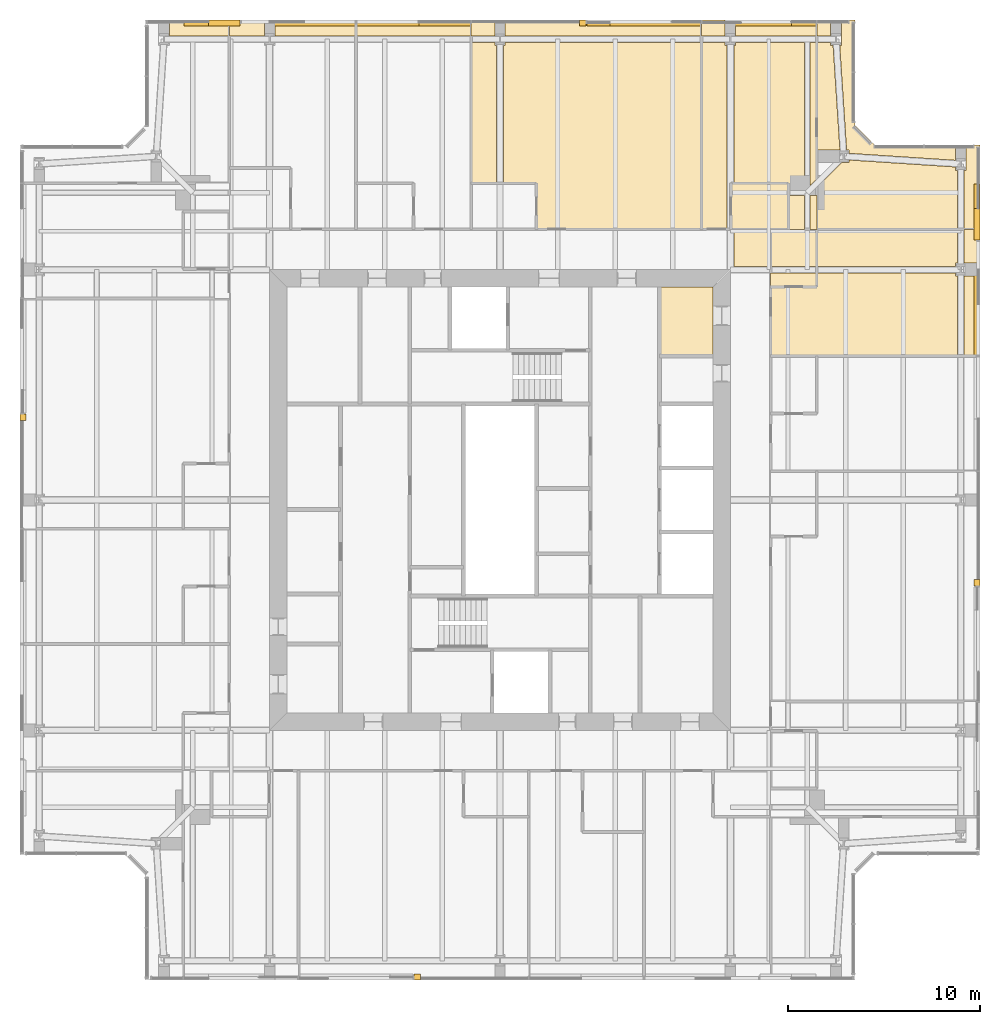
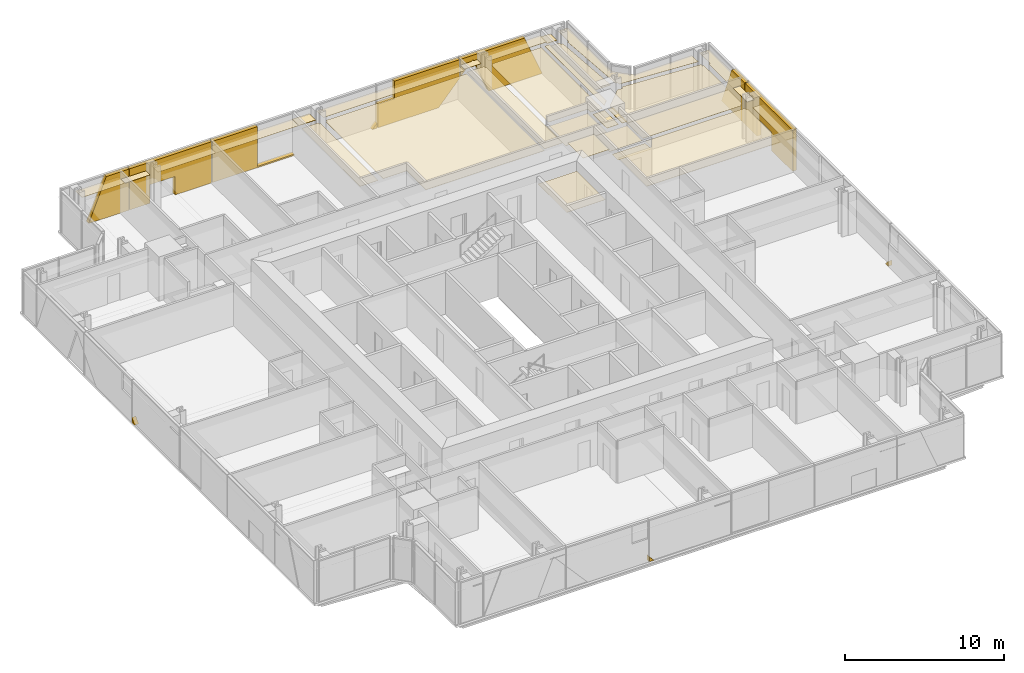
# One storey, part 18 of 18: 40 coverings.
"""IFC4 building model written with IfcOpenShell, lengths in metres."""

from ifc_helpers import new_model, si_unit, direction, frame, origin, place, context, subcontext, project, spatial, polyline, outline, extrude, material, layer, layer_set, type_object, element, save


model = new_model("IFC4")

# Units and contexts
model_context = context("Model", 3, precision=1e-05, world=origin(), true_north=direction((0.0, 1.0)))
body_context = subcontext(model_context, "Body", "Model", "MODEL_VIEW")
ifc_project = project(units=[si_unit("LENGTHUNIT", "METRE"), si_unit("AREAUNIT", "SQUARE_METRE"), si_unit("VOLUMEUNIT", "CUBIC_METRE"), si_unit("PLANEANGLEUNIT", "RADIAN"), si_unit("MASSUNIT", "GRAM", prefix="KILO")], contexts=[model_context])

# Site, building, storey
site_placement = place(None, origin())
site = spatial("IfcSite", under=ifc_project, at=site_placement, CompositionType="ELEMENT")
building_placement = place(site_placement, origin())
building = spatial("IfcBuilding", under=site, at=building_placement, Name="Fenwick Lantern Interchange", CompositionType="ELEMENT")
storey_placement = place(building_placement, frame((0.0, 0.0, 262.800048828125)))
storey = spatial("IfcBuildingStorey", under=building, at=storey_placement, Name="L62", CompositionType="ELEMENT", Elevation=262.800048828125)

# Coverings
ifc_material_1 = material(Name="Granite cladding, warm grey flamed finish, on aluminium carrier frame", Category="masonry")
ifc_layer_1 = layer(ifc_material_1, 0.300048828125)
ifc_layer_set_1 = layer_set([ifc_layer_1], Name="BRACE CASING PANEL 300")
covering_type_1 = type_object("IfcCoveringType", Name="BRACE CASING PANEL 300", PredefinedType="CLADDING", material=ifc_layer_set_1)
for number, where, z_axis, x_axis, name in (
    (1, (6.60009765625, 0.10009765625, 0.0), (0.0, 0.0, 1.0), (1.0, 0.0, 0.0), "Brace casing 01 bay 03a"),
    (2, (49.89990234375, 6.60009765625, 0.0), (0.0, 0.0, 1.0), (0.0, 1.0, 0.0), "Brace casing 05 bay 03a"),
):
    element("IfcCovering", number, at=place(storey_placement, frame(where, z_axis=z_axis, x_axis=x_axis)), inside=storey, type_object=covering_type_1, Name=name, PredefinedType="CLADDING", context=body_context, shape_type="SweptSolid", body=[
        extrude(outline(polyline([(13.929931640625, 0.0), (14.265869140625, 0.0), (13.929931640625, 0.380615234375), (13.929931640625, 0.0)])), frame((0.0, 0.2099609375, 0.0), z_axis=(0.0, -1.0, 0.0), x_axis=(1.0, 0.0, 0.0)), (0.0, 0.0, 1.0), 0.300048828125),
    ])
covering_1_placement = place(storey_placement, frame((49.89990234375, 6.60009765625, 0.0), z_axis=(0.0, 0.0, 1.0), x_axis=(0.0, 1.0, 0.0)))
element("IfcCovering", 3, at=covering_1_placement, inside=storey, type_object=covering_type_1, Name="Brace casing 05 bay 05a", PredefinedType="CLADDING", context=body_context, shape_type="SweptSolid", body=[
    extrude(outline(polyline([(25.929931640625, 0.0), (28.585205078125, 0.0), (28.585205078125, 1.416748046875), (30.39013671875, 1.416748046875), (30.39013671875, 0.0), (31.8701171875, 0.0), (31.8701171875, 3.14990234375), (25.929931640625, 3.14990234375), (25.929931640625, 0.0)])), frame((0.0, 0.2099609375, 0.0), z_axis=(0.0, -1.0, 0.0), x_axis=(1.0, 0.0, 0.0)), (0.0, 0.0, 1.0), 0.300048828125),
])
covering_2_placement = place(storey_placement, frame((49.89990234375, 6.60009765625, 0.0), z_axis=(0.0, 0.0, 1.0), x_axis=(0.0, 1.0, 0.0)))
element("IfcCovering", 4, at=covering_2_placement, inside=storey, type_object=covering_type_1, Name="Brace casing 05 bay 06a", PredefinedType="CLADDING", context=body_context, shape_type="SweptSolid", body=[
    extrude(outline(polyline([(31.929931640625, 0.0), (34.846435546875, 0.0), (33.57275390625, 3.14990234375), (31.929931640625, 3.14990234375), (31.929931640625, 0.0)])), frame((0.0, 0.2099609375, 0.0), z_axis=(0.0, -1.0, 0.0), x_axis=(1.0, 0.0, 0.0)), (0.0, 0.0, 1.0), 0.300048828125),
])
covering_3_placement = place(storey_placement, frame((43.39990234375, 49.89990234375, 0.0), z_axis=(0.0, 0.0, 1.0), x_axis=(-1.0, 0.0, 0.0)))
element("IfcCovering", 5, at=covering_3_placement, inside=storey, type_object=covering_type_1, Name="Brace casing 09 bay 01a", PredefinedType="CLADDING", context=body_context, shape_type="SweptSolid", body=[
    extrude(outline(polyline([(1.953369140625, 0.0), (5.836669921875, 0.0), (6.97705078125, 2.819580078125), (7.8701171875, 1.807373046875), (7.8701171875, 3.14990234375), (3.227294921875, 3.14990234375), (1.953369140625, 0.0)])), frame((0.0, 0.2099609375, 0.0), z_axis=(0.0, -1.0, 0.0), x_axis=(1.0, 0.0, 0.0)), (0.0, 0.0, 1.0), 0.300048828125),
])
covering_4_placement = place(storey_placement, frame((43.39990234375, 49.89990234375, 0.0), z_axis=(0.0, 0.0, 1.0), x_axis=(-1.0, 0.0, 0.0)))
element("IfcCovering", 6, at=covering_4_placement, inside=storey, type_object=covering_type_1, Name="Brace casing 09 bay 02a", PredefinedType="CLADDING", context=body_context, shape_type="SweptSolid", body=[
    extrude(outline(polyline([(9.46484375, 0.0), (13.8701171875, 0.0), (13.8701171875, 1.80126953125), (12.67626953125, 1.80126953125), (12.67626953125, 3.14990234375), (7.929931640625, 3.14990234375), (7.929931640625, 1.7392578125), (9.46484375, 0.0)])), frame((0.0, 0.2099609375, 0.0), z_axis=(0.0, -1.0, 0.0), x_axis=(1.0, 0.0, 0.0)), (0.0, 0.0, 1.0), 0.300048828125),
])
covering_5_placement = place(storey_placement, frame((43.39990234375, 49.89990234375, 0.0), z_axis=(0.0, 0.0, 1.0), x_axis=(-1.0, 0.0, 0.0)))
element("IfcCovering", 7, at=covering_5_placement, inside=storey, type_object=covering_type_1, Name="Brace casing 09 bay 03a", PredefinedType="CLADDING", context=body_context, shape_type="SweptSolid", body=[
    extrude(outline(polyline([(13.929931640625, 0.0), (14.265869140625, 0.0), (13.929931640625, 0.380615234375), (13.929931640625, 0.0)])), frame((0.0, 0.2099609375, 0.0), z_axis=(0.0, -1.0, 0.0), x_axis=(1.0, 0.0, 0.0)), (0.0, 0.0, 1.0), 0.300048828125),
])
covering_6_placement = place(storey_placement, frame((43.39990234375, 49.89990234375, 0.0), z_axis=(0.0, 0.0, 1.0), x_axis=(-1.0, 0.0, 0.0)))
element("IfcCovering", 8, at=covering_6_placement, inside=storey, type_object=covering_type_1, Name="Brace casing 09 bay 04a", PredefinedType="CLADDING", context=body_context, shape_type="SweptSolid", body=[
    extrude(outline(polyline([(19.929931640625, 0.0), (25.8701171875, 0.0), (25.8701171875, 3.14990234375), (22.6201171875, 3.14990234375), (22.6201171875, 0.09716796875), (19.929931640625, 0.09716796875), (19.929931640625, 0.0)])), frame((0.0, 0.2099609375, 0.0), z_axis=(0.0, -1.0, 0.0), x_axis=(1.0, 0.0, 0.0)), (0.0, 0.0, 1.0), 0.300048828125),
])
covering_7_placement = place(storey_placement, frame((43.39990234375, 49.89990234375, 0.0), z_axis=(0.0, 0.0, 1.0), x_axis=(-1.0, 0.0, 0.0)))
element("IfcCovering", 9, at=covering_7_placement, inside=storey, type_object=covering_type_1, Name="Brace casing 09 bay 05a", PredefinedType="CLADDING", context=body_context, shape_type="SweptSolid", body=[
    extrude(outline(polyline([(25.929931640625, 0.0), (28.585205078125, 0.0), (28.585205078125, 1.416748046875), (30.39013671875, 1.416748046875), (30.39013671875, 0.0), (31.8701171875, 0.0), (31.8701171875, 3.14990234375), (25.929931640625, 3.14990234375), (25.929931640625, 0.0)])), frame((0.0, 0.2099609375, 0.0), z_axis=(0.0, -1.0, 0.0), x_axis=(1.0, 0.0, 0.0)), (0.0, 0.0, 1.0), 0.300048828125),
])
covering_8_placement = place(storey_placement, frame((43.39990234375, 49.89990234375, 0.0), z_axis=(0.0, 0.0, 1.0), x_axis=(-1.0, 0.0, 0.0)))
element("IfcCovering", 10, at=covering_8_placement, inside=storey, type_object=covering_type_1, Name="Brace casing 09 bay 06a", PredefinedType="CLADDING", context=body_context, shape_type="SweptSolid", body=[
    extrude(outline(polyline([(31.929931640625, 0.0), (34.846435546875, 0.0), (33.57275390625, 3.14990234375), (31.929931640625, 3.14990234375), (31.929931640625, 0.0)])), frame((0.0, 0.2099609375, 0.0), z_axis=(0.0, -1.0, 0.0), x_axis=(1.0, 0.0, 0.0)), (0.0, 0.0, 1.0), 0.300048828125),
])
covering_9_placement = place(storey_placement, frame((0.10009765625, 43.39990234375, 0.0), z_axis=(0.0, 0.0, 1.0), x_axis=(0.0, -1.0, 0.0)))
element("IfcCovering", 11, at=covering_9_placement, inside=storey, type_object=covering_type_1, Name="Brace casing 13 bay 03a", PredefinedType="CLADDING", context=body_context, shape_type="SweptSolid", body=[
    extrude(outline(polyline([(13.929931640625, 0.0), (14.265869140625, 0.0), (13.929931640625, 0.380615234375), (13.929931640625, 0.0)])), frame((0.0, 0.2099609375, 0.0), z_axis=(0.0, -1.0, 0.0), x_axis=(1.0, 0.0, 0.0)), (0.0, 0.0, 1.0), 0.300048828125),
])
ifc_material_2 = material(Name="Moisture resistant gypsum board on suspended frame, painted")
ifc_layer_2 = layer(ifc_material_2, 0.014892578125)
ifc_layer_set_2 = layer_set([ifc_layer_2], Name="MOISTURE RESISTANT CEILING 15")
covering_type_2 = type_object("IfcCoveringType", Name="MOISTURE RESISTANT CEILING 15", PredefinedType="CEILING", material=ifc_layer_set_2)
covering_10_placement = place(storey_placement, frame((0.0, 0.0, 2.599853515625)))
element("IfcCovering", 12, at=covering_10_placement, inside=storey, type_object=covering_type_2, Name="Accessible WC and shower ceiling", PredefinedType="CEILING", context=body_context, shape_type="SweptSolid", body=[
    extrude(outline(polyline([(36.10009765625, 36.10009765625), (33.300048828125, 36.10009765625), (33.300048828125, 32.5), (36.10009765625, 32.5), (36.10009765625, 36.10009765625)])), origin(), (0.0, 0.0, 1.0), 0.01513671875),
])
covering_11_placement = place(storey_placement, frame((0.0, 0.0, 2.39990234375)))
element("IfcCovering", 13, at=covering_11_placement, inside=storey, type_object=covering_type_2, Name="En-suite 6208 ceiling", PredefinedType="CEILING", context=body_context, shape_type="SweptSolid", body=[
    extrude(outline(polyline([(39.10009765625, 39.10009765625), (39.10009765625, 37.166015625), (41.5, 37.166015625), (41.5, 39.10009765625), (39.10009765625, 39.10009765625)])), origin(), (0.0, 0.0, 1.0), 0.01513671875),
])
covering_12_placement = place(storey_placement, frame((0.0, 0.0, 2.39990234375)))
element("IfcCovering", 14, at=covering_12_placement, inside=storey, type_object=covering_type_2, Name="En-suite 6208 ceiling", PredefinedType="CEILING", context=body_context, shape_type="SweptSolid", body=[
    extrude(outline(polyline([(41.5, 36.10009765625), (41.5, 36.833984375), (39.10009765625, 36.833984375), (39.10009765625, 36.10009765625), (41.5, 36.10009765625)])), origin(), (0.0, 0.0, 1.0), 0.01513671875),
])
covering_13_placement = place(storey_placement, frame((0.0, 0.0, 2.39990234375)))
element("IfcCovering", 15, at=covering_13_placement, inside=storey, type_object=covering_type_2, Name="En-suite 6209 ceiling", PredefinedType="CEILING", context=body_context, shape_type="SweptSolid", body=[
    extrude(outline(polyline([(40.02490234375, 41.5), (37.02490234375, 41.5), (37.02490234375, 39.10009765625), (40.02490234375, 39.10009765625), (40.02490234375, 41.5)])), origin(), (0.0, 0.0, 1.0), 0.01513671875),
])
ifc_material_3 = material(Name="Gypsum plasterboard on suspended frame, painted")
ifc_layer_3 = layer(ifc_material_3, 0.014892578125)
ifc_layer_set_3 = layer_set([ifc_layer_3], Name="PLASTERBOARD CEILING 15")
covering_type_3 = type_object("IfcCoveringType", Name="PLASTERBOARD CEILING 15", PredefinedType="CEILING", material=ifc_layer_set_3)
covering_14_placement = place(storey_placement, frame((0.0, 0.0, 2.57275390625)))
element("IfcCovering", 16, at=covering_14_placement, inside=storey, type_object=covering_type_3, Name="Corridor ceiling", PredefinedType="CEILING", context=body_context, shape_type="SweptSolid", body=[
    extrude(outline(polyline([(39.10009765625, 39.10009765625), (37.183837890625, 39.10009765625), (37.183837890625, 37.166015625), (39.10009765625, 37.166015625), (39.10009765625, 39.10009765625)])), origin(), (0.0, 0.0, 1.0), 0.01513671875),
])
covering_15_placement = place(storey_placement, frame((0.0, 0.0, 2.57275390625)))
element("IfcCovering", 17, at=covering_15_placement, inside=storey, type_object=covering_type_3, Name="Guest room 6208 ceiling", PredefinedType="CEILING", context=body_context, shape_type="SweptSolid", body=[
    extrude(outline(polyline([(48.72265625, 36.66552734375), (48.72265625, 36.833984375), (41.5, 36.833984375), (41.5, 36.10009765625), (39.10009765625, 36.10009765625), (39.10009765625, 32.5), (48.82763671875, 32.5), (48.82763671875, 36.66552734375), (48.72265625, 36.66552734375)])), origin(), (0.0, 0.0, 1.0), 0.01513671875),
])
covering_16_placement = place(storey_placement, frame((0.0, 0.0, 2.57275390625)))
element("IfcCovering", 18, at=covering_16_placement, inside=storey, type_object=covering_type_3, Name="Guest room 6208 ceiling", PredefinedType="CEILING", context=body_context, shape_type="SweptSolid", body=[
    extrude(outline(polyline([(48.72265625, 37.33447265625), (48.82763671875, 37.33447265625), (48.82763671875, 39.10009765625), (41.5, 39.10009765625), (41.5, 37.166015625), (48.72265625, 37.166015625), (48.72265625, 37.33447265625)])), origin(), (0.0, 0.0, 1.0), 0.01513671875),
])
covering_17_placement = place(storey_placement, frame((0.0, 0.0, 2.57275390625)))
element("IfcCovering", 19, at=covering_17_placement, inside=storey, type_object=covering_type_3, Name="Guest room 6208 ceiling", PredefinedType="CEILING", context=body_context, shape_type="SweptSolid", body=[
    extrude(outline(polyline([(50.0, 36.66552734375), (49.17236328125, 36.66552734375), (49.17236328125, 32.5), (50.0, 32.5), (50.0, 36.66552734375)])), origin(), (0.0, 0.0, 1.0), 0.01513671875),
])
covering_18_placement = place(storey_placement, frame((0.0, 0.0, 2.57275390625)))
element("IfcCovering", 20, at=covering_18_placement, inside=storey, type_object=covering_type_3, Name="Guest room 6208 ceiling", PredefinedType="CEILING", context=body_context, shape_type="SweptSolid", body=[
    extrude(outline(polyline([(49.17236328125, 37.33447265625), (50.0, 37.33447265625), (50.0, 39.10009765625), (49.17236328125, 39.10009765625), (49.17236328125, 37.33447265625)])), origin(), (0.0, 0.0, 1.0), 0.01513671875),
])
covering_19_placement = place(storey_placement, frame((0.0, 0.0, 2.57275390625)))
element("IfcCovering", 21, at=covering_19_placement, inside=storey, type_object=covering_type_3, Name="Guest suite 6209 sitting room ceiling", PredefinedType="CEILING", context=body_context, shape_type="SweptSolid", body=[
    extrude(outline(polyline([(48.82763671875, 42.16552734375), (48.72265625, 42.16552734375), (48.72265625, 42.345458984375), (43.17724609375, 42.708984375), (43.17724609375, 42.5654296875), (42.782470703125, 42.5654296875), (41.5, 41.283203125), (41.5, 39.10009765625), (48.82763671875, 39.10009765625), (48.82763671875, 42.16552734375)])), origin(), (0.0, 0.0, 1.0), 0.01513671875),
])
covering_20_placement = place(storey_placement, frame((0.0, 0.0, 2.57275390625)))
element("IfcCovering", 22, at=covering_20_placement, inside=storey, type_object=covering_type_3, Name="Guest suite 6209 sitting room ceiling", PredefinedType="CEILING", context=body_context, shape_type="SweptSolid", body=[
    extrude(outline(polyline([(43.17724609375, 43.234375), (43.17724609375, 43.0546875), (48.72265625, 42.69091796875), (48.72265625, 43.5), (44.5, 43.5), (43.5, 44.5), (43.5, 50.0), (42.77734375, 50.0), (42.77734375, 48.66552734375), (42.69482421875, 48.66552734375), (43.05078125, 43.234375), (43.17724609375, 43.234375)])), origin(), (0.0, 0.0, 1.0), 0.01513671875),
])
covering_21_placement = place(storey_placement, frame((0.0, 0.0, 2.57275390625)))
element("IfcCovering", 23, at=covering_21_placement, inside=storey, type_object=covering_type_3, Name="Guest suite 6209 sitting room ceiling", PredefinedType="CEILING", context=body_context, shape_type="SweptSolid", body=[
    extrude(outline(polyline([(41.5, 43.234375), (42.705322265625, 43.234375), (42.34912109375, 48.66552734375), (42.22265625, 48.66552734375), (42.22265625, 48.82763671875), (41.5, 48.82763671875), (41.5, 43.234375)])), origin(), (0.0, 0.0, 1.0), 0.01513671875),
])
covering_22_placement = place(storey_placement, frame((0.0, 0.0, 2.57275390625)))
element("IfcCovering", 24, at=covering_22_placement, inside=storey, type_object=covering_type_3, Name="Guest suite 6209 sitting room ceiling", PredefinedType="CEILING", context=body_context, shape_type="SweptSolid", body=[
    extrude(outline(polyline([(49.27734375, 42.16552734375), (49.17236328125, 42.16552734375), (49.17236328125, 39.10009765625), (50.0, 39.10009765625), (50.0, 43.5), (49.27734375, 43.5), (49.27734375, 42.16552734375)])), origin(), (0.0, 0.0, 1.0), 0.01513671875),
])
covering_23_placement = place(storey_placement, frame((0.0, 0.0, 2.57275390625)))
element("IfcCovering", 25, at=covering_23_placement, inside=storey, type_object=covering_type_3, Name="Guest suite 6209 sitting room ceiling", PredefinedType="CEILING", context=body_context, shape_type="SweptSolid", body=[
    extrude(outline(polyline([(41.5, 50.0), (41.5, 49.17236328125), (42.22265625, 49.17236328125), (42.22265625, 50.0), (41.5, 50.0)])), origin(), (0.0, 0.0, 1.0), 0.01513671875),
])
covering_24_placement = place(storey_placement, frame((0.0, 0.0, 2.699951171875)))
element("IfcCovering", 26, at=covering_24_placement, inside=storey, type_object=covering_type_3, Name="Guest suite 6209 bedroom ceiling", PredefinedType="CEILING", context=body_context, shape_type="SweptSolid", body=[
    extrude(outline(polyline([(37.27734375, 48.66552734375), (37.183837890625, 48.66552734375), (37.183837890625, 41.5), (40.02490234375, 41.5), (40.02490234375, 41.134521484375), (40.865478515625, 41.134521484375), (40.865478515625, 48.82763671875), (37.27734375, 48.82763671875), (37.27734375, 48.66552734375)])), origin(), (0.0, 0.0, 1.0), 0.014892578125),
])
covering_25_placement = place(storey_placement, frame((0.0, 0.0, 2.699951171875)))
element("IfcCovering", 27, at=covering_25_placement, inside=storey, type_object=covering_type_3, Name="Guest suite 6209 bedroom ceiling", PredefinedType="CEILING", context=body_context, shape_type="SweptSolid", body=[
    extrude(outline(polyline([(36.72265625, 48.66552734375), (36.72265625, 48.82763671875), (35.5, 48.82763671875), (35.5, 39.10009765625), (36.816162109375, 39.10009765625), (36.816162109375, 48.66552734375), (36.72265625, 48.66552734375)])), origin(), (0.0, 0.0, 1.0), 0.014892578125),
])
covering_26_placement = place(storey_placement, frame((0.0, 0.0, 2.699951171875)))
element("IfcCovering", 28, at=covering_26_placement, inside=storey, type_object=covering_type_3, Name="Guest suite 6209 bedroom ceiling", PredefinedType="CEILING", context=body_context, shape_type="SweptSolid", body=[
    extrude(outline(polyline([(37.27734375, 50.0), (37.27734375, 49.17236328125), (41.5, 49.17236328125), (41.5, 50.0), (37.27734375, 50.0)])), origin(), (0.0, 0.0, 1.0), 0.014892578125),
])
covering_27_placement = place(storey_placement, frame((0.0, 0.0, 2.699951171875)))
element("IfcCovering", 29, at=covering_27_placement, inside=storey, type_object=covering_type_3, Name="Guest suite 6209 bedroom ceiling", PredefinedType="CEILING", context=body_context, shape_type="SweptSolid", body=[
    extrude(outline(polyline([(41.5, 41.716796875), (41.5, 48.82763671875), (41.134521484375, 48.82763671875), (41.134521484375, 41.351318359375), (41.5, 41.716796875)])), origin(), (0.0, 0.0, 1.0), 0.014892578125),
])
covering_28_placement = place(storey_placement, frame((0.0, 0.0, 2.699951171875)))
element("IfcCovering", 30, at=covering_28_placement, inside=storey, type_object=covering_type_3, Name="Guest suite 6209 bedroom ceiling", PredefinedType="CEILING", context=body_context, shape_type="SweptSolid", body=[
    extrude(outline(polyline([(40.02490234375, 39.10009765625), (40.865478515625, 39.10009765625), (40.865478515625, 40.865478515625), (40.02490234375, 40.865478515625), (40.02490234375, 39.10009765625)])), origin(), (0.0, 0.0, 1.0), 0.014892578125),
])
covering_29_placement = place(storey_placement, frame((0.0, 0.0, 2.699951171875)))
element("IfcCovering", 31, at=covering_29_placement, inside=storey, type_object=covering_type_3, Name="Guest suite 6209 bedroom ceiling", PredefinedType="CEILING", context=body_context, shape_type="SweptSolid", body=[
    extrude(outline(polyline([(36.72265625, 50.0), (35.5, 50.0), (35.5, 49.17236328125), (36.72265625, 49.17236328125), (36.72265625, 50.0)])), origin(), (0.0, 0.0, 1.0), 0.014892578125),
])
covering_30_placement = place(storey_placement, frame((0.0, 0.0, 2.699951171875)))
element("IfcCovering", 32, at=covering_30_placement, inside=storey, type_object=covering_type_3, Name="Guest suite 6209 bedroom ceiling", PredefinedType="CEILING", context=body_context, shape_type="SweptSolid", body=[
    extrude(outline(polyline([(41.5, 39.10009765625), (41.5, 40.865478515625), (41.134521484375, 40.865478515625), (41.134521484375, 39.10009765625), (41.5, 39.10009765625)])), origin(), (0.0, 0.0, 1.0), 0.014892578125),
])
covering_31_placement = place(storey_placement, frame((0.0, 0.0, 2.57275390625)))
element("IfcCovering", 33, at=covering_31_placement, inside=storey, type_object=covering_type_3, Name="Guest suite 6210 ceiling", PredefinedType="CEILING", context=body_context, shape_type="SweptSolid", body=[
    extrude(outline(polyline([(25.27099609375, 48.6845703125), (25.183837890625, 48.6845703125), (25.183837890625, 41.5), (26.89990234375, 41.5), (26.89990234375, 39.10009765625), (35.5, 39.10009765625), (35.5, 48.82763671875), (25.27099609375, 48.82763671875), (25.27099609375, 48.6845703125)])), origin(), (0.0, 0.0, 1.0), 0.01513671875),
])
covering_32_placement = place(storey_placement, frame((0.0, 0.0, 2.57275390625)))
element("IfcCovering", 34, at=covering_32_placement, inside=storey, type_object=covering_type_3, Name="Guest suite 6210 ceiling", PredefinedType="CEILING", context=body_context, shape_type="SweptSolid", body=[
    extrude(outline(polyline([(24.72900390625, 48.6845703125), (24.72900390625, 48.82763671875), (23.5, 48.82763671875), (23.5, 41.5), (24.816162109375, 41.5), (24.816162109375, 48.6845703125), (24.72900390625, 48.6845703125)])), origin(), (0.0, 0.0, 1.0), 0.01513671875),
])
covering_33_placement = place(storey_placement, frame((0.0, 0.0, 2.57275390625)))
element("IfcCovering", 35, at=covering_33_placement, inside=storey, type_object=covering_type_3, Name="Guest suite 6210 ceiling", PredefinedType="CEILING", context=body_context, shape_type="SweptSolid", body=[
    extrude(outline(polyline([(25.27099609375, 50.0), (25.27099609375, 49.17236328125), (35.5, 49.17236328125), (35.5, 50.0), (25.27099609375, 50.0)])), origin(), (0.0, 0.0, 1.0), 0.01513671875),
])
covering_34_placement = place(storey_placement, frame((0.0, 0.0, 2.57275390625)))
element("IfcCovering", 36, at=covering_34_placement, inside=storey, type_object=covering_type_3, Name="Guest suite 6210 ceiling", PredefinedType="CEILING", context=body_context, shape_type="SweptSolid", body=[
    extrude(outline(polyline([(24.72900390625, 49.17236328125), (24.72900390625, 50.0), (23.5, 50.0), (23.5, 49.17236328125), (24.72900390625, 49.17236328125)])), origin(), (0.0, 0.0, 1.0), 0.01513671875),
])
covering_35_placement = place(storey_placement, frame((0.0, 0.0, 2.57275390625)))
element("IfcCovering", 37, at=covering_35_placement, inside=storey, type_object=covering_type_3, Name="Guest room 6211 ceiling", PredefinedType="CEILING", context=body_context, shape_type="SweptSolid", body=[
    extrude(outline(polyline([(23.5, 50.0), (17.5, 50.0), (17.5, 49.17236328125), (23.5, 49.17236328125), (23.5, 50.0)])), origin(), (0.0, 0.0, 1.0), 0.01513671875),
])
covering_36_placement = place(storey_placement, frame((0.0, 0.0, 2.57275390625)))
element("IfcCovering", 38, at=covering_36_placement, inside=storey, type_object=covering_type_3, Name="Guest room 6212 ceiling", PredefinedType="CEILING", context=body_context, shape_type="SweptSolid", body=[
    extrude(outline(polyline([(13.27734375, 50.0), (13.27734375, 49.17236328125), (17.5, 49.17236328125), (17.5, 50.0), (13.27734375, 50.0)])), origin(), (0.0, 0.0, 1.0), 0.01513671875),
])
covering_37_placement = place(storey_placement, frame((0.0, 0.0, 2.57275390625)))
element("IfcCovering", 39, at=covering_37_placement, inside=storey, type_object=covering_type_3, Name="Guest room 6212 ceiling", PredefinedType="CEILING", context=body_context, shape_type="SweptSolid", body=[
    extrude(outline(polyline([(12.72265625, 49.17236328125), (12.72265625, 50.0), (10.89990234375, 50.0), (10.89990234375, 49.17236328125), (12.72265625, 49.17236328125)])), origin(), (0.0, 0.0, 1.0), 0.01513671875),
])
covering_38_placement = place(storey_placement, frame((0.0, 0.0, 2.57275390625)))
element("IfcCovering", 40, at=covering_38_placement, inside=storey, type_object=covering_type_3, Name="Guest suite 6213 sitting room ceiling", PredefinedType="CEILING", context=body_context, shape_type="SweptSolid", body=[
    extrude(outline(polyline([(7.77734375, 50.0), (7.77734375, 49.17236328125), (10.89990234375, 49.17236328125), (10.89990234375, 50.0), (7.77734375, 50.0)])), origin(), (0.0, 0.0, 1.0), 0.01513671875),
])

save(model, "model.ifc")
